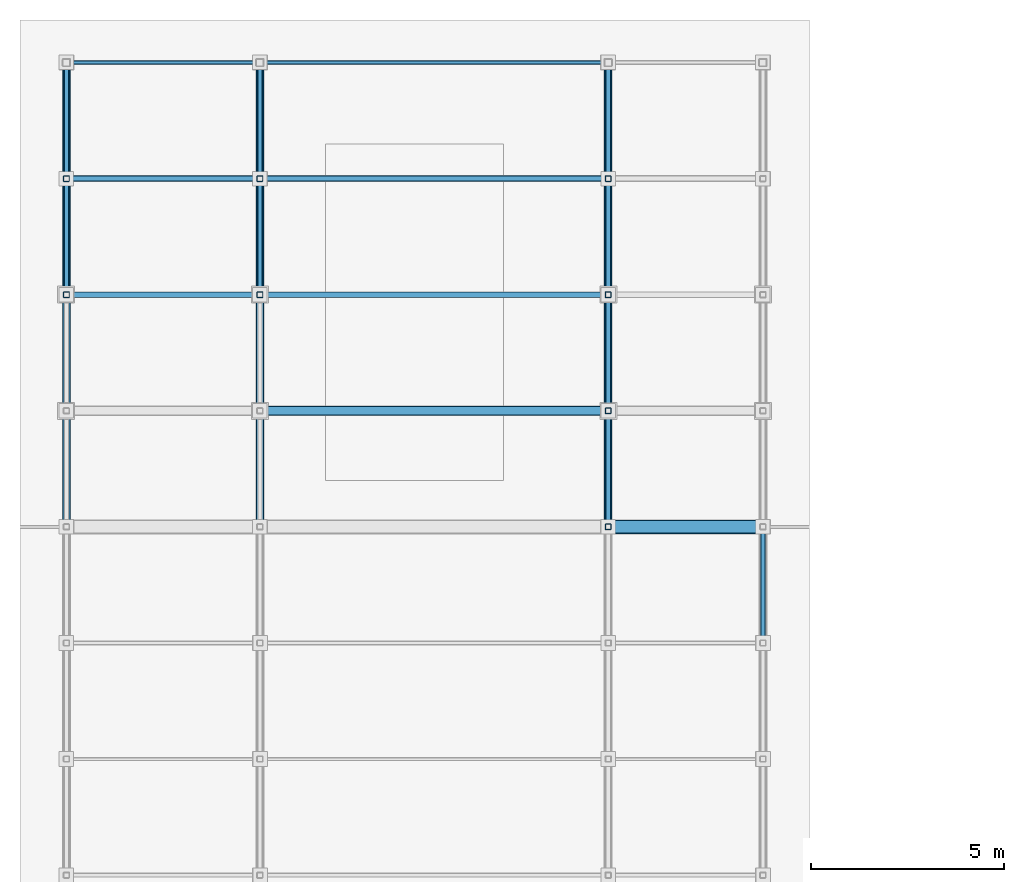
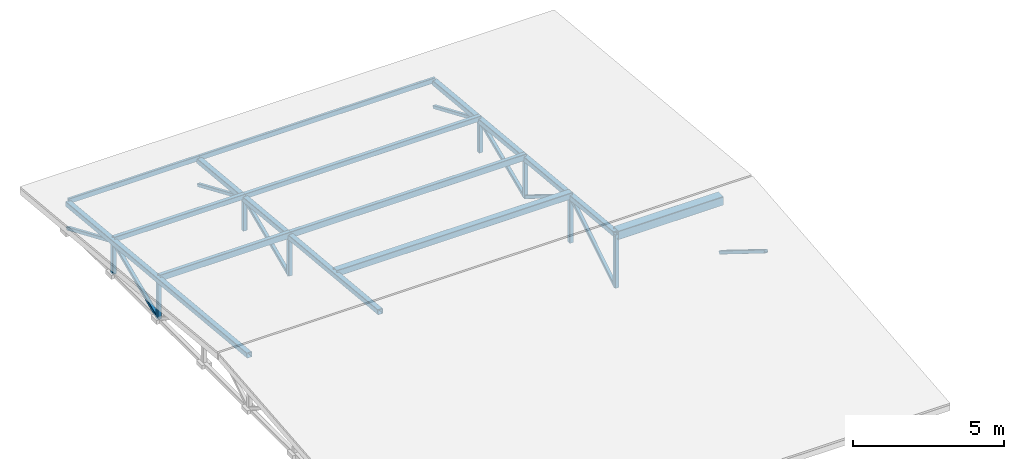
# One storey, part 14 of 25: 25 members, 3 beams.
"""IFC4 building model written with IfcOpenShell, lengths in metres."""

from ifc_helpers import new_model, si_unit, direction, frame, origin, origin_2d, place, context, subcontext, project, spatial, hollow_rectangle, extrude, material, material_profile, profile_set, type_object, element, save


model = new_model("IFC4")

# Units and contexts
model_context = context("Model", 3, precision=1e-05, world=origin(), true_north=direction((0.0, 1.0)))
body_context = subcontext(model_context, "Body", "Model", "MODEL_VIEW")
ifc_project = project(units=[si_unit("LENGTHUNIT", "METRE"), si_unit("AREAUNIT", "SQUARE_METRE"), si_unit("VOLUMEUNIT", "CUBIC_METRE"), si_unit("PLANEANGLEUNIT", "RADIAN"), si_unit("MASSUNIT", "GRAM", prefix="KILO"), si_unit("THERMODYNAMICTEMPERATUREUNIT", "KELVIN"), si_unit("POWERUNIT", "WATT")], contexts=[model_context])

# Site, building, storey
site_placement = place(None, origin())
site = spatial("IfcSite", under=ifc_project, at=site_placement, CompositionType="ELEMENT")
building_placement = place(site_placement, origin())
building = spatial("IfcBuilding", under=site, at=building_placement, Name="Zelmaris Science Centre", CompositionType="ELEMENT")
storey_placement = place(building_placement, frame((0.0, 0.0, 30.0)))
storey = spatial("IfcBuildingStorey", under=building, at=storey_placement, Name="RF", CompositionType="ELEMENT", Elevation=30.0)

# Beams
ifc_material = material(Name="Steel ASTM A500 Grade C", Category="steel")
ifc_material_profile_1 = material_profile(ifc_material, hollow_rectangle(XDim=0.203125, YDim=0.203125, WallThickness=0.01171875, InnerFilletRadius=0.01171875, OuterFilletRadius=0.023681640625, at=origin_2d()), Name="HSS203X203X13")
ifc_profile_set_1 = profile_set([ifc_material_profile_1], Name="Steel ASTM A500 Grade C")
beam_type = type_object("IfcBeamType", Name="Beam G-20 HSS203X203X13", PredefinedType="BEAM", material=ifc_profile_set_1)
for number, where, z_axis, x_axis, name in (
    (1, (58.0, 76.0, 2.497314453125), (0.0, 0.995440145093, -0.095388246325), (-1.0, 0.0, 0.0), "RF-V5 Roof truss 1 north top chord"),
    (2, (63.0, 76.0, 2.497314453125), (0.0, 0.995440145093, -0.095388246325), (-1.0, 0.0, 0.0), "RF-V5 Roof truss 2 north top chord"),
    (3, (72.0, 76.0, 2.497314453125), (0.0, 0.995440145093, -0.095388246325), (-1.0, 0.0, 0.0), "RF-V5 Roof truss 3 north top chord"),
):
    element("IfcBeam", number, at=place(storey_placement, frame(where, z_axis=z_axis, x_axis=x_axis)), inside=storey, type_object=beam_type, Name=name, PredefinedType="BEAM", context=body_context, shape_type="SweptSolid", body=[
        extrude(hollow_rectangle(XDim=0.203125, YDim=0.203125, WallThickness=0.01171875, InnerFilletRadius=0.01171875, OuterFilletRadius=0.023681640625, at=origin_2d()), origin(), (0.0, 0.0, 1.0), 12.054931640625),
    ])

# Members
ifc_material_profile_2 = material_profile(ifc_material, hollow_rectangle(XDim=0.15234375, YDim=0.25390625, WallThickness=0.0087890625, InnerFilletRadius=0.0087890625, OuterFilletRadius=0.017822265625, at=origin_2d()), Name="HSS254X152X10")
ifc_profile_set_2 = profile_set([ifc_material_profile_2], Name="Steel ASTM A500 Grade C")
member_type_1 = type_object("IfcMemberType", Name="Roof Purlin PR-01 HSS254X152X10", PredefinedType="PURLIN", material=ifc_profile_set_2)
member_1_placement = place(storey_placement, frame((58.0, 82.0, 1.991943359375), z_axis=(1.0, 0.0, 0.0), x_axis=(0.0, 1.0, 0.0)))
element("IfcMember", 4, at=member_1_placement, inside=storey, type_object=member_type_1, Name="RF-V5 Roof purlin 7", PredefinedType="PURLIN", context=body_context, shape_type="SweptSolid", body=[
    extrude(hollow_rectangle(XDim=0.15234375, YDim=0.25390625, WallThickness=0.0087890625, InnerFilletRadius=0.0087890625, OuterFilletRadius=0.017822265625, at=origin_2d()), origin(), (0.0, 0.0, 1.0), 5.0),
])
member_2_placement = place(storey_placement, frame((63.0, 82.0, 1.991943359375), z_axis=(1.0, 0.0, 0.0), x_axis=(0.0, 1.0, 0.0)))
element("IfcMember", 5, at=member_2_placement, inside=storey, type_object=member_type_1, Name="RF-V5 Roof purlin 16", PredefinedType="PURLIN", context=body_context, shape_type="SweptSolid", body=[
    extrude(hollow_rectangle(XDim=0.15234375, YDim=0.25390625, WallThickness=0.0087890625, InnerFilletRadius=0.0087890625, OuterFilletRadius=0.017822265625, at=origin_2d()), origin(), (0.0, 0.0, 1.0), 9.0),
])
ifc_material_profile_3 = material_profile(ifc_material, hollow_rectangle(XDim=0.15234375, YDim=0.203125, WallThickness=0.0087890625, InnerFilletRadius=0.0087890625, OuterFilletRadius=0.017822265625, at=origin_2d()), Name="HSS203X152X10")
ifc_profile_set_3 = profile_set([ifc_material_profile_3], Name="Steel ASTM A500 Grade C")
member_type_2 = type_object("IfcMemberType", Name="Roof Purlin PR-02 HSS203X152X10", PredefinedType="PURLIN", material=ifc_profile_set_3)
member_3_placement = place(storey_placement, frame((58.0, 85.0, 1.729736328125), z_axis=(1.0, 0.0, 0.0), x_axis=(0.0, 1.0, 0.0)))
element("IfcMember", 6, at=member_3_placement, inside=storey, type_object=member_type_2, Name="RF-V5 Roof purlin 8", PredefinedType="PURLIN", context=body_context, shape_type="SweptSolid", body=[
    extrude(hollow_rectangle(XDim=0.15234375, YDim=0.203125, WallThickness=0.0087890625, InnerFilletRadius=0.0087890625, OuterFilletRadius=0.017822265625, at=origin_2d()), origin(), (0.0, 0.0, 1.0), 5.0),
])
member_4_placement = place(storey_placement, frame((63.0, 85.0, 1.729736328125), z_axis=(1.0, 0.0, 0.0), x_axis=(0.0, 1.0, 0.0)))
element("IfcMember", 7, at=member_4_placement, inside=storey, type_object=member_type_2, Name="RF-V5 Roof purlin 17", PredefinedType="PURLIN", context=body_context, shape_type="SweptSolid", body=[
    extrude(hollow_rectangle(XDim=0.15234375, YDim=0.203125, WallThickness=0.0087890625, InnerFilletRadius=0.0087890625, OuterFilletRadius=0.017822265625, at=origin_2d()), origin(), (0.0, 0.0, 1.0), 9.0),
])
ifc_material_profile_4 = material_profile(ifc_material, hollow_rectangle(XDim=0.1015625, YDim=0.203125, WallThickness=0.00732421875, InnerFilletRadius=0.00732421875, OuterFilletRadius=0.014892578125, at=origin_2d()), Name="HSS203X102X8")
ifc_profile_set_4 = profile_set([ifc_material_profile_4], Name="Steel ASTM A500 Grade C")
member_type_3 = type_object("IfcMemberType", Name="Roof Purlin PR-03 HSS203X102X8", PredefinedType="PURLIN", material=ifc_profile_set_4)
member_5_placement = place(storey_placement, frame((58.0, 88.0, 1.4423828125), z_axis=(1.0, 0.0, 0.0), x_axis=(0.0, 1.0, 0.0)))
element("IfcMember", 8, at=member_5_placement, inside=storey, type_object=member_type_3, Name="RF-V5 Roof purlin 9", PredefinedType="PURLIN", context=body_context, shape_type="SweptSolid", body=[
    extrude(hollow_rectangle(XDim=0.1015625, YDim=0.203125, WallThickness=0.00732421875, InnerFilletRadius=0.00732421875, OuterFilletRadius=0.014892578125, at=origin_2d()), origin(), (0.0, 0.0, 1.0), 5.0),
])
member_6_placement = place(storey_placement, frame((63.0, 88.0, 1.4423828125), z_axis=(1.0, 0.0, 0.0), x_axis=(0.0, 1.0, 0.0)))
element("IfcMember", 9, at=member_6_placement, inside=storey, type_object=member_type_3, Name="RF-V5 Roof purlin 18", PredefinedType="PURLIN", context=body_context, shape_type="SweptSolid", body=[
    extrude(hollow_rectangle(XDim=0.1015625, YDim=0.203125, WallThickness=0.00732421875, InnerFilletRadius=0.00732421875, OuterFilletRadius=0.014892578125, at=origin_2d()), origin(), (0.0, 0.0, 1.0), 9.0),
])
ifc_material_profile_5 = material_profile(ifc_material, hollow_rectangle(XDim=0.355712890625, YDim=0.355712890625, WallThickness=0.0146484375, InnerFilletRadius=0.0146484375, OuterFilletRadius=0.029296875, at=origin_2d()), Name="HSS356X356X16")
ifc_profile_set_5 = profile_set([ifc_material_profile_5], Name="Steel ASTM A500 Grade C")
member_type_4 = type_object("IfcMemberType", Name="Roof Purlin PR-08 HSS356X356X16", PredefinedType="PURLIN", material=ifc_profile_set_5)
member_7_placement = place(storey_placement, frame((72.0, 76.0, 2.51611328125), z_axis=(1.0, 0.0, 0.0), x_axis=(0.0, 1.0, 0.0)))
element("IfcMember", 10, at=member_7_placement, inside=storey, type_object=member_type_4, Name="RF-V5 Roof purlin 23", PredefinedType="PURLIN", context=body_context, shape_type="SweptSolid", body=[
    extrude(hollow_rectangle(XDim=0.355712890625, YDim=0.355712890625, WallThickness=0.0146484375, InnerFilletRadius=0.0146484375, OuterFilletRadius=0.029296875, at=origin_2d()), origin(), (0.0, 0.0, 1.0), 4.0),
])
ifc_material_profile_6 = material_profile(ifc_material, hollow_rectangle(XDim=0.25390625, YDim=0.25390625, WallThickness=0.01171875, InnerFilletRadius=0.01171875, OuterFilletRadius=0.023681640625, at=origin_2d()), Name="HSS254X254X13")
ifc_profile_set_6 = profile_set([ifc_material_profile_6], Name="Steel ASTM A500 Grade C")
member_type_5 = type_object("IfcMemberType", Name="Roof Purlin PR-09 HSS254X254X13", PredefinedType="PURLIN", material=ifc_profile_set_6)
member_8_placement = place(storey_placement, frame((63.0, 79.0, 2.279296875), z_axis=(1.0, 0.0, 0.0), x_axis=(0.0, 1.0, 0.0)))
element("IfcMember", 11, at=member_8_placement, inside=storey, type_object=member_type_5, Name="RF-V5 Roof purlin 15", PredefinedType="PURLIN", context=body_context, shape_type="SweptSolid", body=[
    extrude(hollow_rectangle(XDim=0.25390625, YDim=0.25390625, WallThickness=0.01171875, InnerFilletRadius=0.01171875, OuterFilletRadius=0.023681640625, at=origin_2d()), origin(), (0.0, 0.0, 1.0), 9.0),
])
ifc_material_profile_7 = material_profile(ifc_material, hollow_rectangle(XDim=0.15234375, YDim=0.15234375, WallThickness=0.0087890625, InnerFilletRadius=0.0087890625, OuterFilletRadius=0.017822265625, at=origin_2d()), Name="HSS152X152X10")
ifc_profile_set_7 = profile_set([ifc_material_profile_7], Name="Steel ASTM A500 Grade C")
member_type_6 = type_object("IfcMemberType", Name="Structural Brace BR-03 HSS152X152X10", PredefinedType="BRACE", material=ifc_profile_set_7)
member_9_placement = place(storey_placement, frame((58.0, 82.0, 0.347412109375), z_axis=(0.0, 0.0, 1.0), x_axis=(1.0, 0.0, 0.0)))
element("IfcMember", 12, at=member_9_placement, inside=storey, type_object=member_type_6, Name="RF-V5 Roof truss 1 vertical web 6", PredefinedType="BRACE", context=body_context, shape_type="SweptSolid", body=[
    extrude(hollow_rectangle(XDim=0.15234375, YDim=0.15234375, WallThickness=0.0087890625, InnerFilletRadius=0.0087890625, OuterFilletRadius=0.017822265625, at=origin_2d()), origin(), (0.0, 0.0, 1.0), 1.574951171875),
])
member_10_placement = place(storey_placement, frame((58.0, 85.0, 0.347412109375), z_axis=(0.0, 0.0, 1.0), x_axis=(1.0, 0.0, 0.0)))
element("IfcMember", 13, at=member_10_placement, inside=storey, type_object=member_type_6, Name="RF-V5 Roof truss 1 vertical web 7", PredefinedType="BRACE", context=body_context, shape_type="SweptSolid", body=[
    extrude(hollow_rectangle(XDim=0.15234375, YDim=0.15234375, WallThickness=0.0087890625, InnerFilletRadius=0.0087890625, OuterFilletRadius=0.017822265625, at=origin_2d()), origin(), (0.0, 0.0, 1.0), 1.287353515625),
])
member_11_placement = place(storey_placement, frame((63.0, 82.0, 0.347412109375), z_axis=(0.0, 0.0, 1.0), x_axis=(1.0, 0.0, 0.0)))
element("IfcMember", 14, at=member_11_placement, inside=storey, type_object=member_type_6, Name="RF-V5 Roof truss 2 vertical web 6", PredefinedType="BRACE", context=body_context, shape_type="SweptSolid", body=[
    extrude(hollow_rectangle(XDim=0.15234375, YDim=0.15234375, WallThickness=0.0087890625, InnerFilletRadius=0.0087890625, OuterFilletRadius=0.017822265625, at=origin_2d()), origin(), (0.0, 0.0, 1.0), 1.574951171875),
])
member_12_placement = place(storey_placement, frame((63.0, 85.0, 0.347412109375), z_axis=(0.0, 0.0, 1.0), x_axis=(1.0, 0.0, 0.0)))
element("IfcMember", 15, at=member_12_placement, inside=storey, type_object=member_type_6, Name="RF-V5 Roof truss 2 vertical web 7", PredefinedType="BRACE", context=body_context, shape_type="SweptSolid", body=[
    extrude(hollow_rectangle(XDim=0.15234375, YDim=0.15234375, WallThickness=0.0087890625, InnerFilletRadius=0.0087890625, OuterFilletRadius=0.017822265625, at=origin_2d()), origin(), (0.0, 0.0, 1.0), 1.287353515625),
])
member_13_placement = place(storey_placement, frame((72.0, 76.0, 0.347412109375), z_axis=(0.0, 0.0, 1.0), x_axis=(1.0, 0.0, 0.0)))
element("IfcMember", 16, at=member_13_placement, inside=storey, type_object=member_type_6, Name="RF-V5 Roof truss 3 vertical web 4", PredefinedType="BRACE", context=body_context, shape_type="SweptSolid", body=[
    extrude(hollow_rectangle(XDim=0.15234375, YDim=0.15234375, WallThickness=0.0087890625, InnerFilletRadius=0.0087890625, OuterFilletRadius=0.017822265625, at=origin_2d()), origin(), (0.0, 0.0, 1.0), 2.14990234375),
])
member_14_placement = place(storey_placement, frame((72.0, 79.0, 0.347412109375), z_axis=(0.0, 0.0, 1.0), x_axis=(1.0, 0.0, 0.0)))
element("IfcMember", 17, at=member_14_placement, inside=storey, type_object=member_type_6, Name="RF-V5 Roof truss 3 vertical web 5", PredefinedType="BRACE", context=body_context, shape_type="SweptSolid", body=[
    extrude(hollow_rectangle(XDim=0.15234375, YDim=0.15234375, WallThickness=0.0087890625, InnerFilletRadius=0.0087890625, OuterFilletRadius=0.017822265625, at=origin_2d()), origin(), (0.0, 0.0, 1.0), 1.8623046875),
])
member_15_placement = place(storey_placement, frame((72.0, 82.0, 0.347412109375), z_axis=(0.0, 0.0, 1.0), x_axis=(1.0, 0.0, 0.0)))
element("IfcMember", 18, at=member_15_placement, inside=storey, type_object=member_type_6, Name="RF-V5 Roof truss 3 vertical web 6", PredefinedType="BRACE", context=body_context, shape_type="SweptSolid", body=[
    extrude(hollow_rectangle(XDim=0.15234375, YDim=0.15234375, WallThickness=0.0087890625, InnerFilletRadius=0.0087890625, OuterFilletRadius=0.017822265625, at=origin_2d()), origin(), (0.0, 0.0, 1.0), 1.574951171875),
])
member_16_placement = place(storey_placement, frame((72.0, 85.0, 0.347412109375), z_axis=(0.0, 0.0, 1.0), x_axis=(1.0, 0.0, 0.0)))
element("IfcMember", 19, at=member_16_placement, inside=storey, type_object=member_type_6, Name="RF-V5 Roof truss 3 vertical web 7", PredefinedType="BRACE", context=body_context, shape_type="SweptSolid", body=[
    extrude(hollow_rectangle(XDim=0.15234375, YDim=0.15234375, WallThickness=0.0087890625, InnerFilletRadius=0.0087890625, OuterFilletRadius=0.017822265625, at=origin_2d()), origin(), (0.0, 0.0, 1.0), 1.287353515625),
])
ifc_material_profile_8 = material_profile(ifc_material, hollow_rectangle(XDim=0.126953125, YDim=0.126953125, WallThickness=0.00732421875, InnerFilletRadius=0.00732421875, OuterFilletRadius=0.014892578125, at=origin_2d()), Name="HSS127X127X8")
ifc_profile_set_8 = profile_set([ifc_material_profile_8], Name="Steel ASTM A500 Grade C")
member_type_7 = type_object("IfcMemberType", Name="Structural Brace BR-04 HSS127X127X8", PredefinedType="BRACE", material=ifc_profile_set_8)
for number, where, z_axis, x_axis, name in (
    (20, (58.0, 82.0, 0.347412109375), (0.0, 0.918963126212, 0.39434347042), (-1.0, 0.0, 0.0), "RF-V5 Roof truss 1 web diagonal 7"),
    (21, (58.0, 85.0, 1.634765625), (0.0, 0.918963126212, -0.39434347042), (-1.0, 0.0, 0.0), "RF-V5 Roof truss 1 web diagonal 8"),
    (22, (63.0, 82.0, 0.347412109375), (0.0, 0.918963126212, 0.39434347042), (-1.0, 0.0, 0.0), "RF-V5 Roof truss 2 web diagonal 7"),
    (23, (63.0, 85.0, 1.634765625), (0.0, 0.918963126212, -0.39434347042), (-1.0, 0.0, 0.0), "RF-V5 Roof truss 2 web diagonal 8"),
):
    element("IfcMember", number, at=place(storey_placement, frame(where, z_axis=z_axis, x_axis=x_axis)), inside=storey, type_object=member_type_7, Name=name, PredefinedType="BRACE", context=body_context, shape_type="SweptSolid", body=[
        extrude(hollow_rectangle(XDim=0.126953125, YDim=0.126953125, WallThickness=0.00732421875, InnerFilletRadius=0.00732421875, OuterFilletRadius=0.014892578125, at=origin_2d()), origin(), (0.0, 0.0, 1.0), 3.2646484375),
    ])
for number, where, z_axis, x_axis, name in (
    (24, (72.0, 76.0, 0.347412109375), (0.0, 0.84961025299, 0.52741105223), (-1.0, 0.0, 0.0), "RF-V5 Roof truss 3 web diagonal 5"),
    (25, (72.0, 79.0, 2.209716796875), (0.0, 0.84961025299, -0.52741105223), (-1.0, 0.0, 0.0), "RF-V5 Roof truss 3 web diagonal 6"),
):
    element("IfcMember", number, at=place(storey_placement, frame(where, z_axis=z_axis, x_axis=x_axis)), inside=storey, type_object=member_type_7, Name=name, PredefinedType="BRACE", context=body_context, shape_type="SweptSolid", body=[
        extrude(hollow_rectangle(XDim=0.126953125, YDim=0.126953125, WallThickness=0.00732421875, InnerFilletRadius=0.00732421875, OuterFilletRadius=0.014892578125, at=origin_2d()), origin(), (0.0, 0.0, 1.0), 3.531005859375),
    ])
for number, where, z_axis, x_axis, name in (
    (26, (72.0, 82.0, 0.347412109375), (0.0, 0.918963126212, 0.39434347042), (-1.0, 0.0, 0.0), "RF-V5 Roof truss 3 web diagonal 7"),
    (27, (72.0, 85.0, 1.634765625), (0.0, 0.918963126212, -0.39434347042), (-1.0, 0.0, 0.0), "RF-V5 Roof truss 3 web diagonal 8"),
):
    element("IfcMember", number, at=place(storey_placement, frame(where, z_axis=z_axis, x_axis=x_axis)), inside=storey, type_object=member_type_7, Name=name, PredefinedType="BRACE", context=body_context, shape_type="SweptSolid", body=[
        extrude(hollow_rectangle(XDim=0.126953125, YDim=0.126953125, WallThickness=0.00732421875, InnerFilletRadius=0.00732421875, OuterFilletRadius=0.014892578125, at=origin_2d()), origin(), (0.0, 0.0, 1.0), 3.2646484375),
    ])
member_17_placement = place(storey_placement, frame((76.0, 73.0, 2.209716796875), z_axis=(0.0, 0.84961025299, -0.52741105223), x_axis=(-1.0, 0.0, 0.0)))
element("IfcMember", 28, at=member_17_placement, inside=storey, type_object=member_type_7, Name="RF-V5 Roof truss 4 web diagonal 4", PredefinedType="BRACE", context=body_context, shape_type="SweptSolid", body=[
    extrude(hollow_rectangle(XDim=0.126953125, YDim=0.126953125, WallThickness=0.00732421875, InnerFilletRadius=0.00732421875, OuterFilletRadius=0.014892578125, at=origin_2d()), origin(), (0.0, 0.0, 1.0), 3.531005859375),
])

save(model, "model.ifc")
